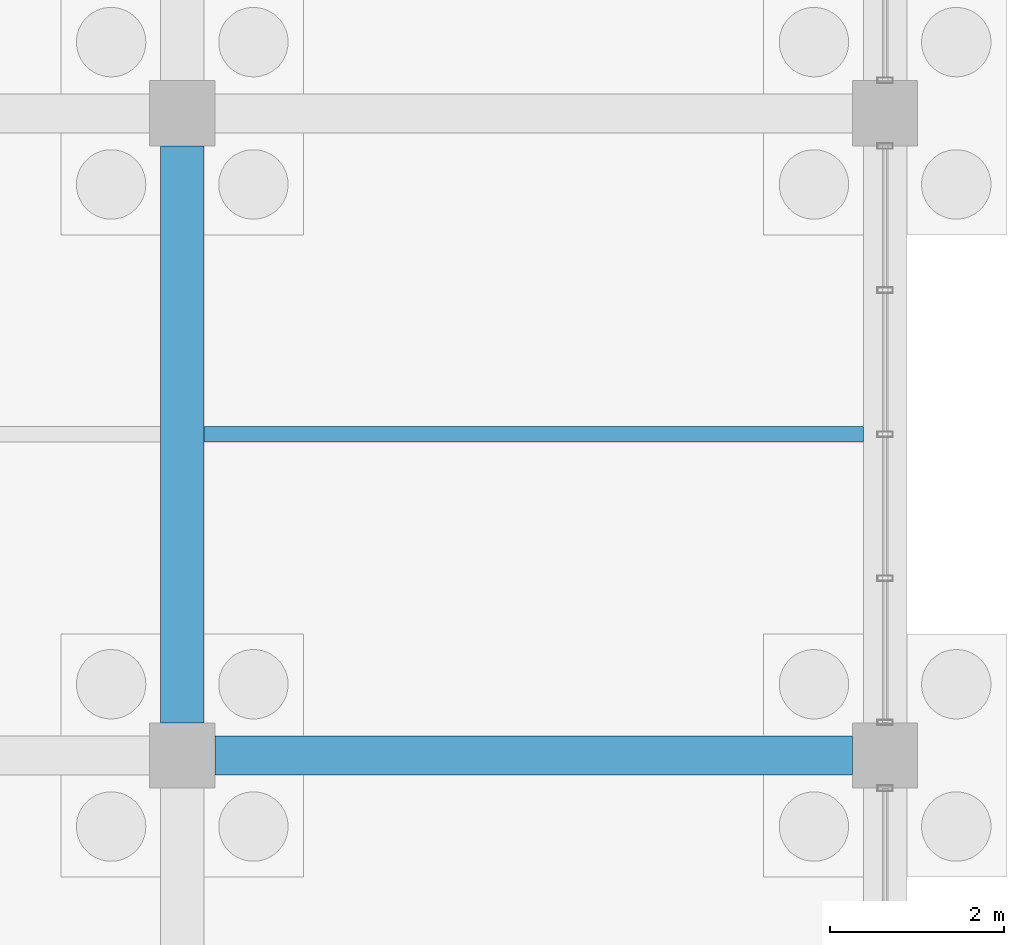
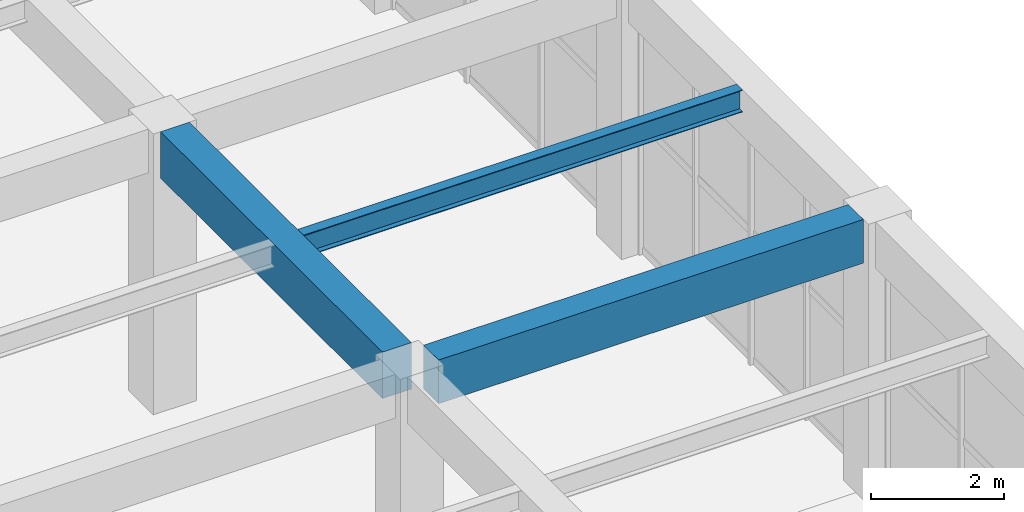
# One storey, part 62 of 140: 3 beams.
"""IFC4 building model written with IfcOpenShell, lengths in metres."""

import ifcopenshell
import ifcopenshell.guid

model = None  # the IFC model being written
_history = None  # IfcOwnerHistory: only IFC2X3 demands one
_inside = {}  # id of a spatial element -> (the spatial element, [elements in it])
_under = {}  # id of a project, library or spatial element -> (it, [spatial elements below it])
_declared = {}  # id of a project -> (the project, [libraries it declares])
_typed = {}  # id of a type object -> (the type object, [elements of that type])
_made_of = {}  # id of a material, layer set ... -> (it, [elements and type objects made of it])


def new_model(schema):
    """Start an empty IFC model of exactly this schema.

    Asked for "IFC4X3", IfcOpenShell would pick the latest addendum, in which some entities
    have other attributes; the version numbers below select the first issue.
    IFC2X3 requires an IfcOwnerHistory on every rooted entity: one is made here for all.
    """
    global model, _history
    if schema == "IFC4X3":
        model = ifcopenshell.file(schema_version=(4, 3, 0, 0))
    else:
        model = ifcopenshell.file(schema=schema)
    _inside.clear()
    _under.clear()
    _declared.clear()
    _typed.clear()
    _made_of.clear()
    _history = None
    if model.schema == "IFC2X3":
        org = make("IfcOrganization", Name="unknown")
        user = make(
            "IfcPersonAndOrganization",
            ThePerson=make("IfcPerson", FamilyName="unknown"),
            TheOrganization=org,
        )
        app = make(
            "IfcApplication",
            ApplicationDeveloper=org,
            Version="unknown",
            ApplicationFullName="unknown",
            ApplicationIdentifier="unknown",
        )
        _history = make(
            "IfcOwnerHistory",
            OwningUser=user,
            OwningApplication=app,
            ChangeAction="ADDED",
            CreationDate=0,
        )
    return model


def make(cls, **values):
    """One entity of the class cls with the attributes given. An attribute that is None is left unset."""
    return model.create_entity(
        cls, **{name: value for name, value in values.items() if value is not None}
    )


def rooted(cls, **values):
    """An entity with a GlobalId (a new one), such as an element, a storey or a relation."""
    return make(cls, GlobalId=ifcopenshell.guid.new(), OwnerHistory=_history, **values)


def si_unit(unit_type, name, prefix=None):
    """IfcSIUnit, for example si_unit("LENGTHUNIT", "METRE", prefix="MILLI")."""
    return make("IfcSIUnit", UnitType=unit_type, Prefix=prefix, Name=name)


def assignment(units):
    """IfcUnitAssignment: the units of a project."""
    return None if units is None else make("IfcUnitAssignment", Units=units)


def point(xyz):
    """IfcCartesianPoint."""
    return None if xyz is None else make("IfcCartesianPoint", Coordinates=xyz)


def direction(xyz):
    """IfcDirection."""
    return None if xyz is None else make("IfcDirection", DirectionRatios=xyz)


def frame(location, z_axis=None, x_axis=None):
    """IfcAxis2Placement3D, a coordinate frame: its origin and axes. An axis left out is left unset."""
    return make(
        "IfcAxis2Placement3D",
        Location=point(location),
        Axis=direction(z_axis),
        RefDirection=direction(x_axis),
    )


def frame_2d(location, x_axis=None):
    """IfcAxis2Placement2D, a coordinate frame in the plane: its origin and x axis."""
    return make(
        "IfcAxis2Placement2D", Location=point(location), RefDirection=direction(x_axis)
    )


def origin():
    """The frame at (0, 0, 0) with its axes left unset."""
    return frame((0.0, 0.0, 0.0))


def origin_2d():
    """The frame at (0, 0) in the plane with its x axis left unset."""
    return frame_2d((0.0, 0.0))


def place(relative_to, where):
    """IfcLocalPlacement: puts the frame where relative to a parent placement (None: the world)."""
    return make(
        "IfcLocalPlacement", PlacementRelTo=relative_to, RelativePlacement=where
    )


def context(
    kind, dimensions, precision=None, world=None, true_north=None, identifier=None
):
    """IfcGeometricRepresentationContext, for example the 3D "Model" context."""
    return make(
        "IfcGeometricRepresentationContext",
        ContextIdentifier=identifier,
        ContextType=kind,
        CoordinateSpaceDimension=dimensions,
        Precision=precision,
        WorldCoordinateSystem=world,
        TrueNorth=true_north,
    )


def subcontext(parent, identifier, kind, view, scale=None):
    """IfcGeometricRepresentationSubContext, for example "Body" below "Model"."""
    return make(
        "IfcGeometricRepresentationSubContext",
        ContextIdentifier=identifier,
        ContextType=kind,
        ParentContext=parent,
        TargetScale=scale,
        TargetView=view,
    )


def project(units=None, contexts=None):
    """IfcProject with its units and contexts."""
    return rooted(
        "IfcProject",
        Name="project",
        RepresentationContexts=contexts,
        UnitsInContext=assignment(units),
    )


def spatial(cls, under=None, at=None, **own):
    """A site, building, storey or space (cls), placed at a placement, below another one or the project."""
    s = rooted(cls, ObjectPlacement=at, **own)
    if under is not None:
        _under.setdefault(under.id(), (under, []))[1].append(s)
    return s


def profile(cls, at=None, kind="AREA", **sizes):
    """A parametric profile (cls). Its sizes go by their IFC names, for example OverallWidth=200.0."""
    return make(cls, ProfileType=kind, Position=at, **sizes)


def rectangle(**sizes):
    """IfcRectangleProfileDef."""
    return profile("IfcRectangleProfileDef", **sizes)


def i_section(**sizes):
    """IfcIShapeProfileDef."""
    return profile("IfcIShapeProfileDef", **sizes)


def extrude(swept, where, along, depth):
    """IfcExtrudedAreaSolid: the profile swept, set in the frame where, extruded along a direction by depth."""
    return make(
        "IfcExtrudedAreaSolid",
        SweptArea=swept,
        Position=where,
        ExtrudedDirection=direction(along),
        Depth=depth,
    )


def shape(context_of_items, identifier, shape_type, items):
    """IfcShapeRepresentation: the items that make up one representation, for example the "Body"."""
    return make(
        "IfcShapeRepresentation",
        ContextOfItems=context_of_items,
        RepresentationIdentifier=identifier,
        RepresentationType=shape_type,
        Items=items,
    )


def material(Name=None, Category=None):
    """IfcMaterial."""
    return make("IfcMaterial", Name=Name, Category=Category)


def material_profile(
    of_material, cross_section, Name=None, Category=None, Priority=None
):
    """IfcMaterialProfile: a cross section and its material."""
    return make(
        "IfcMaterialProfile",
        Name=Name,
        Material=of_material,
        Profile=cross_section,
        Priority=Priority,
        Category=Category,
    )


def profile_set(profiles, Name=None, composite=None):
    """IfcMaterialProfileSet."""
    return make(
        "IfcMaterialProfileSet",
        Name=Name,
        MaterialProfiles=profiles,
        CompositeProfile=composite,
    )


def made_of(thing, what):
    """Note that an element or type object is made of a material, layer set ...; save() writes the relation."""
    if what is not None:
        _made_of.setdefault(what.id(), (what, []))[1].append(thing)
    return thing


def type_object(cls, material=None, **own):
    """A type object (cls), such as IfcWallType, which elements share."""
    return made_of(rooted(cls, **own), material)


def element(
    cls,
    number,
    at=None,
    inside=None,
    cuts=None,
    type_object=None,
    material=None,
    context=None,
    identifier="Body",
    shape_type=None,
    held_by="IfcProductDefinitionShape",
    body=None,
    shapes=None,
    **own,
):
    """One element of the class cls, such as IfcWall. Its Tag is "e" and its number.

    at: its placement. inside: the storey or other place that contains it. cuts: it is an
    opening in that element (IfcRelVoidsElement). A single representation is given by context,
    identifier, shape_type and body (its items); several are given by shapes. held_by: the class
    of the entity that holds the representations. save() writes the other relations.
    """
    e = rooted(cls, Tag="e%d" % number, ObjectPlacement=at, **own)
    if body is not None:
        shapes = [shape(context, identifier, shape_type, body)]
    if shapes is not None:
        e.Representation = make(held_by, Representations=shapes)
    if inside is not None:
        _inside.setdefault(inside.id(), (inside, []))[1].append(e)
    if cuts is not None:
        rooted(
            "IfcRelVoidsElement", RelatingBuildingElement=cuts, RelatedOpeningElement=e
        )
    if type_object is not None:
        _typed.setdefault(type_object.id(), (type_object, []))[1].append(e)
    return made_of(e, material)


def aggregate(whole, parts):
    """IfcRelAggregates: a whole, such as a stair, and the parts it consists of."""
    return rooted("IfcRelAggregates", RelatingObject=whole, RelatedObjects=parts)


def save(model, path):
    """Write the relations noted so far, then the file.

    IfcRelAggregates (storeys below a building ...), IfcRelContainedInSpatialStructure (elements
    in a storey), IfcRelDefinesByType, IfcRelAssociatesMaterial and IfcRelDeclares: one each for
    every whole, place, type object, material and project.
    """
    for whole, parts in _under.values():
        aggregate(whole, parts)
    for where, things in _inside.values():
        rooted(
            "IfcRelContainedInSpatialStructure",
            RelatedElements=things,
            RelatingStructure=where,
        )
    for kind, things in _typed.values():
        rooted("IfcRelDefinesByType", RelatedObjects=things, RelatingType=kind)
    for what, things in _made_of.values():
        rooted("IfcRelAssociatesMaterial", RelatedObjects=things, RelatingMaterial=what)
    for by, libraries in _declared.values():
        rooted("IfcRelDeclares", RelatingContext=by, RelatedDefinitions=libraries)
    model.write(path)


model = new_model("IFC4")

# Units and contexts
model_context = context("Model", 3, precision=1e-05, world=origin(), true_north=direction((0.0, 1.0)))
body_context = subcontext(model_context, "Body", "Model", "MODEL_VIEW")
ifc_project = project(units=[si_unit("LENGTHUNIT", "METRE"), si_unit("AREAUNIT", "SQUARE_METRE"), si_unit("VOLUMEUNIT", "CUBIC_METRE"), si_unit("PLANEANGLEUNIT", "RADIAN"), si_unit("MASSUNIT", "GRAM", prefix="KILO")], contexts=[model_context])

# Site, building, storey
site_placement = place(None, origin())
site = spatial("IfcSite", under=ifc_project, at=site_placement, CompositionType="ELEMENT")
building_placement = place(site_placement, origin())
building = spatial("IfcBuilding", under=site, at=building_placement, Name="Cimatlan Art Gallery", CompositionType="ELEMENT")
storey_placement = place(building_placement, origin())
storey = spatial("IfcBuildingStorey", under=building, at=storey_placement, Name="L00", CompositionType="ELEMENT", Elevation=0.0)

# Beams
ifc_material_1 = material(Name="Concrete C40/50", Category="concrete")
ifc_material_profile_1 = material_profile(ifc_material_1, rectangle(XDim=0.449951171875, YDim=0.800048828125, at=origin_2d()), Name="RC450X800")
ifc_profile_set_1 = profile_set([ifc_material_profile_1], Name="Concrete C40/50")
beam_type_1 = type_object("IfcBeamType", Name="BM-RC-450X800", PredefinedType="BEAM", material=ifc_profile_set_1)
beam_1_placement = place(storey_placement, frame((42.875, 75.699951171875, 4.735107421875), z_axis=(1.0, 0.0, 0.0), x_axis=(0.0, 1.0, 0.0)))
element("IfcBeam", 1, at=beam_1_placement, inside=storey, type_object=beam_type_1, Name="BM-X-L00-05-10", PredefinedType="BEAM", context=body_context, shape_type="SweptSolid", body=[
    extrude(rectangle(XDim=0.449951171875, YDim=0.800048828125, at=origin_2d()), origin(), (0.0, 0.0, 1.0), 7.35009765625),
])
ifc_material_profile_2 = material_profile(ifc_material_1, rectangle(XDim=0.5, YDim=0.85009765625, at=origin_2d()), Name="RC500X850")
ifc_profile_set_2 = profile_set([ifc_material_profile_2], Name="Concrete C40/50")
beam_type_2 = type_object("IfcBeamType", Name="BM-RC-500X850", PredefinedType="BEAM", material=ifc_profile_set_2)
beam_2_placement = place(storey_placement, frame((42.5, 76.074951171875, 4.7099609375), z_axis=(0.0, 1.0, 0.0), x_axis=(-1.0, 0.0, 0.0)))
element("IfcBeam", 2, at=beam_2_placement, inside=storey, type_object=beam_type_2, Name="BM-Y-L00-05-10", PredefinedType="BEAM", context=body_context, shape_type="SweptSolid", body=[
    extrude(rectangle(XDim=0.5, YDim=0.85009765625, at=origin_2d()), origin(), (0.0, 0.0, 1.0), 6.650146484375),
])
ifc_material_2 = material(Name="Steel ASTM A992 Grade 50", Category="steel")
ifc_material_profile_3 = material_profile(ifc_material_2, i_section(OverallWidth=0.177978515625, OverallDepth=0.406982421875, WebThickness=0.0078125, FlangeThickness=0.0126953125, at=origin_2d()), Name="W16X40")
ifc_profile_set_3 = profile_set([ifc_material_profile_3], Name="Steel ASTM A992 Grade 50")
beam_type_3 = type_object("IfcBeamType", Name="BM-STL-W16X40", PredefinedType="JOIST", material=ifc_profile_set_3)
beam_3_placement = place(storey_placement, frame((42.75, 79.39990234375, 4.931396484375), z_axis=(1.0, 0.0, 0.0), x_axis=(0.0, 1.0, 0.0)))
element("IfcBeam", 3, at=beam_3_placement, inside=storey, type_object=beam_type_3, Name="JST-L00-05-10", PredefinedType="JOIST", context=body_context, shape_type="SweptSolid", body=[
    extrude(i_section(OverallWidth=0.177978515625, OverallDepth=0.406982421875, WebThickness=0.0078125, FlangeThickness=0.0126953125, at=origin_2d()), origin(), (0.0, 0.0, 1.0), 7.60009765625),
])

save(model, "model.ifc")
